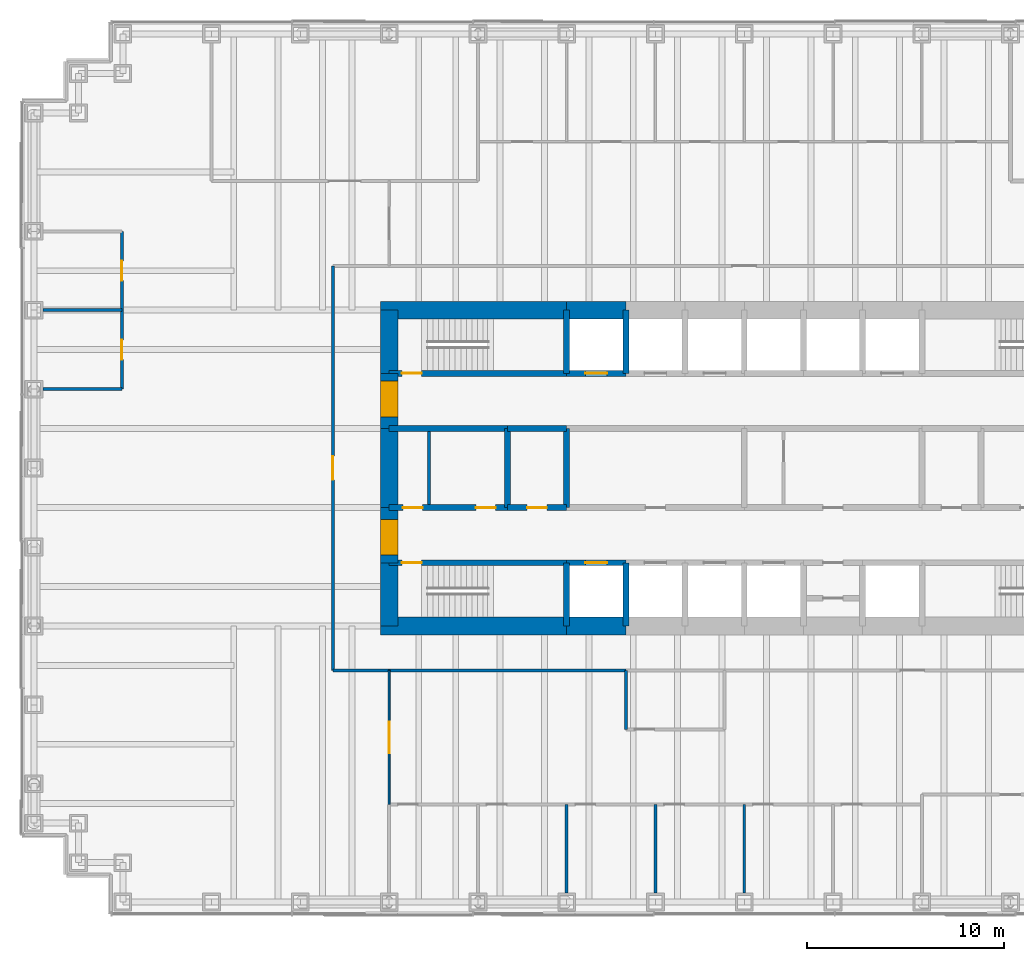
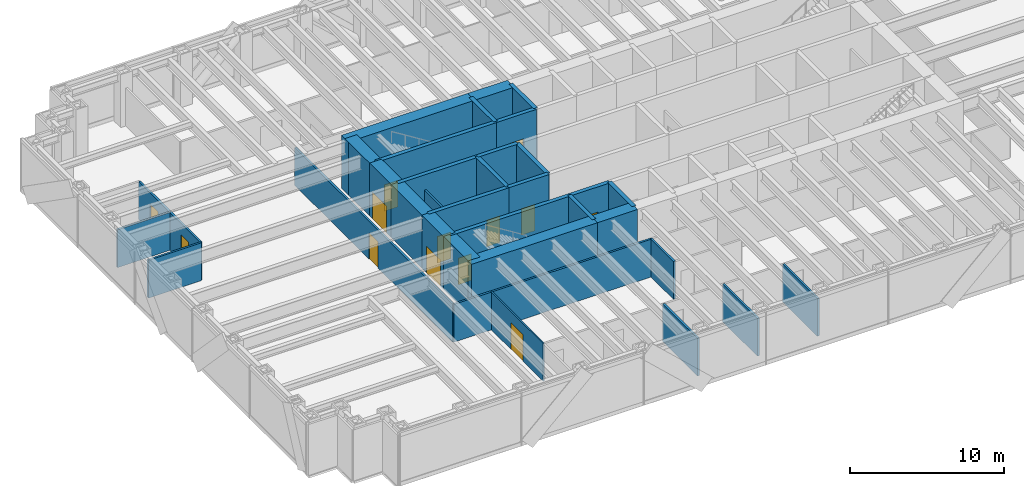
# One storey, part 11 of 15: 34 walls, 13 doors, 13 openings.
"""IFC4 building model written with IfcOpenShell, lengths in metres."""

from ifc_helpers import new_model, si_unit, direction, frame, frame_2d, origin, place, context, subcontext, project, spatial, rectangle, extrude, material, layer, layer_set, type_object, element, fill, save


model = new_model("IFC4")

# Units and contexts
model_context = context("Model", 3, precision=1e-05, world=origin(), true_north=direction((0.0, 1.0)))
body_context = subcontext(model_context, "Body", "Model", "MODEL_VIEW")
ifc_project = project(units=[si_unit("LENGTHUNIT", "METRE"), si_unit("AREAUNIT", "SQUARE_METRE"), si_unit("VOLUMEUNIT", "CUBIC_METRE"), si_unit("PLANEANGLEUNIT", "RADIAN"), si_unit("MASSUNIT", "GRAM", prefix="KILO")], contexts=[model_context])

# Site, building, storey
site_placement = place(None, origin())
site = spatial("IfcSite", under=ifc_project, at=site_placement, CompositionType="ELEMENT")
building_placement = place(site_placement, origin())
building = spatial("IfcBuilding", under=site, at=building_placement, Name="Rheinbord Bourse Tower", CompositionType="ELEMENT")
storey_placement = place(building_placement, frame((0.0, 0.0, 104.699951171875)))
storey = spatial("IfcBuildingStorey", under=building, at=storey_placement, Name="L22", CompositionType="ELEMENT", Elevation=104.699951171875)

# Wall, opening, door
ifc_material_1 = material(Name="Concrete C50/60", Category="concrete")
ifc_layer_1 = layer(ifc_material_1, 0.300048828125)
ifc_layer_set_1 = layer_set([ifc_layer_1], Name="CORE INNER WALL 300")
wall_type_1 = type_object("IfcWallType", Name="CORE INNER WALL 300", PredefinedType="SOLIDWALL", material=ifc_layer_set_1)
wall_1_placement = place(storey_placement, frame((18.0, 19.199951171875, 0.0), z_axis=(0.0, 0.0, 1.0), x_axis=(1.0, 0.0, 0.0)))
wall_1 = element("IfcWall", 1, at=wall_1_placement, inside=storey, type_object=wall_type_1, Name="Core wall A1 L22", PredefinedType="SOLIDWALL", context=body_context, shape_type="SweptSolid", body=[
    extrude(rectangle(XDim=9.0, YDim=0.300048828125, at=frame_2d((4.5, 0.0))), origin(), (0.0, 0.0, 1.0), 4.199951171875),
])
opening_1_placement = place(wall_1_placement, frame((0.64990234375, 0.0, 0.0)))
opening_1 = element("IfcOpeningElement", 2, at=opening_1_placement, cuts=wall_1, Name="Opening 2210", PredefinedType="OPENING", context=body_context, shape_type="SweptSolid", body=[
    extrude(rectangle(XDim=1.0, YDim=2.10009765625, at=frame_2d((0.5, 1.050048828125))), frame((0.0, 0.159912109375, 0.0), z_axis=(0.0, -1.0, 0.0), x_axis=(1.0, 0.0, 0.0)), (0.0, 0.0, 1.0), 0.320068359375),
])
ifc_material_2 = material(Name="Steel door", Category="steel")
door_type_1 = type_object("IfcDoorType", Name="DOOR 1000 EI30", OperationType="SINGLE_SWING_LEFT", PredefinedType="DOOR", material=ifc_material_2)
door_1_placement = place(opening_1_placement, origin())
door_1 = element("IfcDoor", 3, at=door_1_placement, inside=storey, type_object=door_type_1, Name="Stair door ST1 L22", OperationType="SINGLE_SWING_LEFT", OverallHeight=2.10009765625, OverallWidth=1.0, PredefinedType="DOOR", context=body_context, shape_type="SweptSolid", body=[
    extrude(rectangle(XDim=1.0, YDim=2.10009765625, at=frame_2d((0.5, 1.050048828125))), frame((0.0, 0.02490234375, 0.0), z_axis=(0.0, -1.0, 0.0), x_axis=(1.0, 0.0, 0.0)), (0.0, 0.0, 1.0), 0.050048828125),
])
fill(opening_1, door_1)

wall_2_placement = place(storey_placement, frame((27.0, 19.199951171875, 0.0), z_axis=(0.0, 0.0, 1.0), x_axis=(1.0, 0.0, 0.0)))
wall_2 = element("IfcWall", 4, at=wall_2_placement, inside=storey, type_object=wall_type_1, Name="Core wall A2 L22", PredefinedType="SOLIDWALL", context=body_context, shape_type="SweptSolid", body=[
    extrude(rectangle(XDim=3.0, YDim=0.300048828125, at=frame_2d((1.5, 0.0))), origin(), (0.0, 0.0, 1.0), 4.199951171875),
])
opening_2_placement = place(wall_2_placement, frame((0.949951171875, 0.0, 0.0)))
opening_2 = element("IfcOpeningElement", 5, at=opening_2_placement, cuts=wall_2, Name="Opening FL1", PredefinedType="OPENING", context=body_context, shape_type="SweptSolid", body=[
    extrude(rectangle(XDim=1.10009765625, YDim=2.199951171875, at=frame_2d((0.550048828125, 1.10009765625))), frame((0.0, 0.159912109375, 0.0), z_axis=(0.0, -1.0, 0.0), x_axis=(1.0, 0.0, 0.0)), (0.0, 0.0, 1.0), 0.320068359375),
])
ifc_material_3 = material(Name="Steel landing door", Category="steel")
door_type_2 = type_object("IfcDoorType", Name="LIFT LANDING DOOR 1100", OperationType="DOUBLE_DOOR_SLIDING", PredefinedType="USERDEFINED", material=ifc_material_3)
door_2_placement = place(opening_2_placement, origin())
door_2 = element("IfcDoor", 6, at=door_2_placement, inside=storey, type_object=door_type_2, Name="Lift landing door FL1 L22", ObjectType="LIFT LANDING DOOR", OperationType="DOUBLE_DOOR_SLIDING", OverallHeight=2.199951171875, OverallWidth=1.10009765625, PredefinedType="USERDEFINED", context=body_context, shape_type="SweptSolid", body=[
    extrude(rectangle(XDim=1.10009765625, YDim=2.199951171875, at=frame_2d((0.550048828125, 1.10009765625))), frame((0.0, 0.02490234375, 0.0), z_axis=(0.0, -1.0, 0.0), x_axis=(1.0, 0.0, 0.0)), (0.0, 0.0, 1.0), 0.050048828125),
])
fill(opening_2, door_2)

wall_3_placement = place(storey_placement, frame((18.0, 28.800048828125, 0.0), z_axis=(0.0, 0.0, 1.0), x_axis=(1.0, 0.0, 0.0)))
wall_3 = element("IfcWall", 7, at=wall_3_placement, inside=storey, type_object=wall_type_1, Name="Core wall B1 L22", PredefinedType="SOLIDWALL", context=body_context, shape_type="SweptSolid", body=[
    extrude(rectangle(XDim=9.0, YDim=0.300048828125, at=frame_2d((4.5, 0.0))), origin(), (0.0, 0.0, 1.0), 4.199951171875),
])
opening_3_placement = place(wall_3_placement, frame((0.64990234375, 0.0, 0.0)))
opening_3 = element("IfcOpeningElement", 8, at=opening_3_placement, cuts=wall_3, Name="Opening 2220", PredefinedType="OPENING", context=body_context, shape_type="SweptSolid", body=[
    extrude(rectangle(XDim=1.0, YDim=2.10009765625, at=frame_2d((0.5, 1.050048828125))), frame((0.0, 0.159912109375, 0.0), z_axis=(0.0, -1.0, 0.0), x_axis=(1.0, 0.0, 0.0)), (0.0, 0.0, 1.0), 0.320068359375),
])
door_3_placement = place(opening_3_placement, origin())
door_3 = element("IfcDoor", 9, at=door_3_placement, inside=storey, type_object=door_type_1, Name="Stair door ST2 L22", OperationType="SINGLE_SWING_LEFT", OverallHeight=2.10009765625, OverallWidth=1.0, PredefinedType="DOOR", context=body_context, shape_type="SweptSolid", body=[
    extrude(rectangle(XDim=1.0, YDim=2.10009765625, at=frame_2d((0.5, 1.050048828125))), frame((0.0, 0.02490234375, 0.0), z_axis=(0.0, -1.0, 0.0), x_axis=(1.0, 0.0, 0.0)), (0.0, 0.0, 1.0), 0.050048828125),
])
fill(opening_3, door_3)

wall_4_placement = place(storey_placement, frame((27.0, 28.800048828125, 0.0), z_axis=(0.0, 0.0, 1.0), x_axis=(1.0, 0.0, 0.0)))
wall_4 = element("IfcWall", 10, at=wall_4_placement, inside=storey, type_object=wall_type_1, Name="Core wall B2 L22", PredefinedType="SOLIDWALL", context=body_context, shape_type="SweptSolid", body=[
    extrude(rectangle(XDim=3.0, YDim=0.300048828125, at=frame_2d((1.5, 0.0))), origin(), (0.0, 0.0, 1.0), 4.199951171875),
])
opening_4_placement = place(wall_4_placement, frame((0.949951171875, 0.0, 0.0)))
opening_4 = element("IfcOpeningElement", 11, at=opening_4_placement, cuts=wall_4, Name="Opening GL1", PredefinedType="OPENING", context=body_context, shape_type="SweptSolid", body=[
    extrude(rectangle(XDim=1.10009765625, YDim=2.199951171875, at=frame_2d((0.550048828125, 1.10009765625))), frame((0.0, 0.159912109375, 0.0), z_axis=(0.0, -1.0, 0.0), x_axis=(1.0, 0.0, 0.0)), (0.0, 0.0, 1.0), 0.320068359375),
])
door_4_placement = place(opening_4_placement, origin())
door_4 = element("IfcDoor", 12, at=door_4_placement, inside=storey, type_object=door_type_2, Name="Lift landing door GL1 L22", ObjectType="LIFT LANDING DOOR", OperationType="DOUBLE_DOOR_SLIDING", OverallHeight=2.199951171875, OverallWidth=1.10009765625, PredefinedType="USERDEFINED", context=body_context, shape_type="SweptSolid", body=[
    extrude(rectangle(XDim=1.10009765625, YDim=2.199951171875, at=frame_2d((0.550048828125, 1.10009765625))), frame((0.0, 0.02490234375, 0.0), z_axis=(0.0, -1.0, 0.0), x_axis=(1.0, 0.0, 0.0)), (0.0, 0.0, 1.0), 0.050048828125),
])
fill(opening_4, door_4)

# Wall, openings, doors
wall_5_placement = place(storey_placement, frame((18.0, 22.0, 0.0), z_axis=(0.0, 0.0, 1.0), x_axis=(1.0, 0.0, 0.0)))
wall_5 = element("IfcWall", 13, at=wall_5_placement, inside=storey, type_object=wall_type_1, Name="Core wall C1 L22", PredefinedType="SOLIDWALL", context=body_context, shape_type="SweptSolid", body=[
    extrude(rectangle(XDim=6.0, YDim=0.300048828125, at=frame_2d((3.0, 0.0))), origin(), (0.0, 0.0, 1.0), 4.199951171875),
])
opening_5_placement = place(wall_5_placement, frame((4.39990234375, 0.0, 0.0)))
opening_5 = element("IfcOpeningElement", 14, at=opening_5_placement, cuts=wall_5, Name="Opening 22R1", PredefinedType="OPENING", context=body_context, shape_type="SweptSolid", body=[
    extrude(rectangle(XDim=1.0, YDim=2.10009765625, at=frame_2d((0.5, 1.050048828125))), frame((0.0, 0.159912109375, 0.0), z_axis=(0.0, -1.0, 0.0), x_axis=(1.0, 0.0, 0.0)), (0.0, 0.0, 1.0), 0.320068359375),
])
opening_6_placement = place(wall_5_placement, frame((0.699951171875, 0.0, 0.0)))
opening_6 = element("IfcOpeningElement", 15, at=opening_6_placement, cuts=wall_5, Name="Opening 22R9", PredefinedType="OPENING", context=body_context, shape_type="SweptSolid", body=[
    extrude(rectangle(XDim=1.0, YDim=2.10009765625, at=frame_2d((0.5, 1.050048828125))), frame((0.0, 0.159912109375, 0.0), z_axis=(0.0, -1.0, 0.0), x_axis=(1.0, 0.0, 0.0)), (0.0, 0.0, 1.0), 0.320068359375),
])
door_5_placement = place(opening_6_placement, origin())
door_5 = element("IfcDoor", 16, at=door_5_placement, inside=storey, type_object=door_type_1, Name="Staff shower door L22", OperationType="SINGLE_SWING_LEFT", OverallHeight=2.10009765625, OverallWidth=1.0, PredefinedType="DOOR", context=body_context, shape_type="SweptSolid", body=[
    extrude(rectangle(XDim=1.0, YDim=2.10009765625, at=frame_2d((0.5, 1.050048828125))), frame((0.0, 0.02490234375, 0.0), z_axis=(0.0, -1.0, 0.0), x_axis=(1.0, 0.0, 0.0)), (0.0, 0.0, 1.0), 0.050048828125),
])
fill(opening_6, door_5)
ifc_material_4 = material(Name="Timber door", Category="wood")
door_type_3 = type_object("IfcDoorType", Name="DOOR 1000 WC", OperationType="SINGLE_SWING_LEFT", PredefinedType="DOOR", material=ifc_material_4)
door_6_placement = place(opening_5_placement, origin())
door_6 = element("IfcDoor", 17, at=door_6_placement, inside=storey, type_object=door_type_3, Name="WC men door L22", OperationType="SINGLE_SWING_RIGHT", OverallHeight=2.10009765625, OverallWidth=1.0, PredefinedType="DOOR", context=body_context, shape_type="SweptSolid", body=[
    extrude(rectangle(XDim=1.0, YDim=2.10009765625, at=frame_2d((0.5, 1.050048828125))), frame((0.0, 0.02490234375, 0.0), z_axis=(0.0, -1.0, 0.0), x_axis=(1.0, 0.0, 0.0)), (0.0, 0.0, 1.0), 0.050048828125),
])
fill(opening_5, door_6)

# Wall, opening, door
wall_6_placement = place(storey_placement, frame((24.0, 22.0, 0.0), z_axis=(0.0, 0.0, 1.0), x_axis=(1.0, 0.0, 0.0)))
wall_6 = element("IfcWall", 18, at=wall_6_placement, inside=storey, type_object=wall_type_1, Name="Core wall C2 L22", PredefinedType="SOLIDWALL", context=body_context, shape_type="SweptSolid", body=[
    extrude(rectangle(XDim=3.0, YDim=0.300048828125, at=frame_2d((1.5, 0.0))), origin(), (0.0, 0.0, 1.0), 4.199951171875),
])
opening_7_placement = place(wall_6_placement, frame((1.0, 0.0, 0.0)))
opening_7 = element("IfcOpeningElement", 19, at=opening_7_placement, cuts=wall_6, Name="Opening 22R2", PredefinedType="OPENING", context=body_context, shape_type="SweptSolid", body=[
    extrude(rectangle(XDim=1.0, YDim=2.10009765625, at=frame_2d((0.5, 1.050048828125))), frame((0.0, 0.159912109375, 0.0), z_axis=(0.0, -1.0, 0.0), x_axis=(1.0, 0.0, 0.0)), (0.0, 0.0, 1.0), 0.320068359375),
])
door_7_placement = place(opening_7_placement, origin())
door_7 = element("IfcDoor", 20, at=door_7_placement, inside=storey, type_object=door_type_3, Name="Shower and accessible WC door L22", OperationType="SINGLE_SWING_LEFT", OverallHeight=2.10009765625, OverallWidth=1.0, PredefinedType="DOOR", context=body_context, shape_type="SweptSolid", body=[
    extrude(rectangle(XDim=1.0, YDim=2.10009765625, at=frame_2d((0.5, 1.050048828125))), frame((0.0, 0.02490234375, 0.0), z_axis=(0.0, -1.0, 0.0), x_axis=(1.0, 0.0, 0.0)), (0.0, 0.0, 1.0), 0.050048828125),
])
fill(opening_7, door_7)

# Walls
wall_7_placement = place(storey_placement, frame((18.0, 26.0, 0.0), z_axis=(0.0, 0.0, 1.0), x_axis=(1.0, 0.0, 0.0)))
element("IfcWall", 21, at=wall_7_placement, inside=storey, type_object=wall_type_1, Name="Core wall D1 L22", PredefinedType="SOLIDWALL", context=body_context, shape_type="SweptSolid", body=[
    extrude(rectangle(XDim=6.0, YDim=0.300048828125, at=frame_2d((3.0, 0.0))), origin(), (0.0, 0.0, 1.0), 4.199951171875),
])
wall_8_placement = place(storey_placement, frame((24.0, 26.0, 0.0), z_axis=(0.0, 0.0, 1.0), x_axis=(1.0, 0.0, 0.0)))
element("IfcWall", 22, at=wall_8_placement, inside=storey, type_object=wall_type_1, Name="Core wall D2 L22", PredefinedType="SOLIDWALL", context=body_context, shape_type="SweptSolid", body=[
    extrude(rectangle(XDim=3.0, YDim=0.300048828125, at=frame_2d((1.5, 0.0))), origin(), (0.0, 0.0, 1.0), 4.199951171875),
])
for number, where, z_axis, x_axis, name in (
    (23, (27.0, 16.0, 0.0), (0.0, 0.0, 1.0), (0.0, 1.0, 0.0), "Core wall SX27 L22"),
    (24, (27.0, 28.800048828125, 0.0), (0.0, 0.0, 1.0), (0.0, 1.0, 0.0), "Core wall NX27 L22"),
    (25, (30.0, 16.0, 0.0), (0.0, 0.0, 1.0), (0.0, 1.0, 0.0), "Core wall SX30 L22"),
    (26, (30.0, 28.800048828125, 0.0), (0.0, 0.0, 1.0), (0.0, 1.0, 0.0), "Core wall NX30 L22"),
):
    element("IfcWall", number, at=place(storey_placement, frame(where, z_axis=z_axis, x_axis=x_axis)), inside=storey, type_object=wall_type_1, Name=name, PredefinedType="SOLIDWALL", context=body_context, shape_type="SweptSolid", body=[
        extrude(rectangle(XDim=3.199951171875, YDim=0.300048828125, at=frame_2d((1.60009765625, 0.0))), origin(), (0.0, 0.0, 1.0), 4.199951171875),
    ])
for number, where, z_axis, x_axis, name in (
    (27, (24.0, 22.0, 0.0), (0.0, 0.0, 1.0), (0.0, 1.0, 0.0), "Core wall MX24 L22"),
    (28, (27.0, 22.0, 0.0), (0.0, 0.0, 1.0), (0.0, 1.0, 0.0), "Core wall MX27 L22"),
):
    element("IfcWall", number, at=place(storey_placement, frame(where, z_axis=z_axis, x_axis=x_axis)), inside=storey, type_object=wall_type_1, Name=name, PredefinedType="SOLIDWALL", context=body_context, shape_type="SweptSolid", body=[
        extrude(rectangle(XDim=4.0, YDim=0.300048828125, at=frame_2d((2.0, 0.0))), origin(), (0.0, 0.0, 1.0), 4.199951171875),
    ])
ifc_material_5 = material(Name="Gypsum board fire partition", Category="gypsum board")
ifc_layer_2 = layer(ifc_material_5, 0.14990234375)
ifc_layer_set_2 = layer_set([ifc_layer_2], Name="CORE PARTITION 150 EI30")
wall_type_2 = type_object("IfcWallType", Name="CORE PARTITION 150 EI30", PredefinedType="PARTITIONING", material=ifc_layer_set_2)
wall_9_placement = place(storey_placement, frame((20.02490234375, 22.14990234375, 0.0), z_axis=(0.0, 0.0, 1.0), x_axis=(0.0, 1.0, 0.0)))
element("IfcWall", 29, at=wall_9_placement, inside=storey, type_object=wall_type_2, Name="Core partition L22-2", PredefinedType="PARTITIONING", context=body_context, shape_type="SweptSolid", body=[
    extrude(rectangle(XDim=3.7001953125, YDim=0.14990234375, at=frame_2d((1.85009765625, 0.0))), origin(), (0.0, 0.0, 1.0), 3.0),
])
ifc_material_6 = material(Name="Concrete C50/60", Category="concrete")
ifc_layer_3 = layer(ifc_material_6, 0.89990234375)
ifc_layer_set_3 = layer_set([ifc_layer_3], Name="CORE WALL 900")
wall_type_3 = type_object("IfcWallType", Name="CORE WALL 900", PredefinedType="SHEAR", material=ifc_layer_set_3)
wall_10_placement = place(storey_placement, frame((17.550048828125, 16.0, 0.0), z_axis=(0.0, 0.0, 1.0), x_axis=(1.0, 0.0, 0.0)))
element("IfcWall", 30, at=wall_10_placement, inside=storey, type_object=wall_type_3, Name="Core wall S1 L22", PredefinedType="SHEAR", context=body_context, shape_type="SweptSolid", body=[
    extrude(rectangle(XDim=9.449951171875, YDim=0.89990234375, at=frame_2d((4.72509765625, 0.0))), origin(), (0.0, 0.0, 1.0), 4.199951171875),
])
for number, where, z_axis, x_axis, name in (
    (31, (27.0, 16.0, 0.0), (0.0, 0.0, 1.0), (1.0, 0.0, 0.0), "Core wall S2 L22"),
    (32, (30.0, 32.0, 0.0), (0.0, 0.0, 1.0), (-1.0, 0.0, 0.0), "Core wall N7 L22"),
):
    element("IfcWall", number, at=place(storey_placement, frame(where, z_axis=z_axis, x_axis=x_axis)), inside=storey, type_object=wall_type_3, Name=name, PredefinedType="SHEAR", context=body_context, shape_type="SweptSolid", body=[
        extrude(rectangle(XDim=3.0, YDim=0.89990234375, at=frame_2d((1.5, 0.0))), origin(), (0.0, 0.0, 1.0), 4.199951171875),
    ])
wall_11_placement = place(storey_placement, frame((27.0, 32.0, 0.0), z_axis=(0.0, 0.0, 1.0), x_axis=(-1.0, 0.0, 0.0)))
element("IfcWall", 33, at=wall_11_placement, inside=storey, type_object=wall_type_3, Name="Core wall N8 L22", PredefinedType="SHEAR", context=body_context, shape_type="SweptSolid", body=[
    extrude(rectangle(XDim=9.449951171875, YDim=0.89990234375, at=frame_2d((4.72509765625, 0.0))), origin(), (0.0, 0.0, 1.0), 4.199951171875),
])
wall_12_placement = place(storey_placement, frame((18.0, 32.0, 0.0), z_axis=(0.0, 0.0, 1.0), x_axis=(0.0, -1.0, 0.0)))
element("IfcWall", 34, at=wall_12_placement, inside=storey, type_object=wall_type_3, Name="Core wall W1 L22", PredefinedType="SHEAR", context=body_context, shape_type="SweptSolid", body=[
    extrude(rectangle(XDim=3.199951171875, YDim=0.89990234375, at=frame_2d((1.60009765625, 0.0))), origin(), (0.0, 0.0, 1.0), 4.199951171875),
])

# Wall, opening, door
wall_13_placement = place(storey_placement, frame((18.0, 28.800048828125, 0.0), z_axis=(0.0, 0.0, 1.0), x_axis=(0.0, -1.0, 0.0)))
wall_13 = element("IfcWall", 35, at=wall_13_placement, inside=storey, type_object=wall_type_3, Name="Core wall W2 L22", PredefinedType="SHEAR", context=body_context, shape_type="SweptSolid", body=[
    extrude(rectangle(XDim=2.800048828125, YDim=0.89990234375, at=frame_2d((1.39990234375, 0.0))), origin(), (0.0, 0.0, 1.0), 4.199951171875),
])
opening_8_placement = place(wall_13_placement, frame((0.39990234375, 0.0, 0.0)))
opening_8 = element("IfcOpeningElement", 36, at=opening_8_placement, cuts=wall_13, Name="Opening 22L2", PredefinedType="OPENING", context=body_context, shape_type="SweptSolid", body=[
    extrude(rectangle(XDim=1.800048828125, YDim=2.10009765625, at=frame_2d((0.89990234375, 1.050048828125))), frame((0.0, 0.4599609375, 0.0), z_axis=(0.0, -1.0, 0.0), x_axis=(1.0, 0.0, 0.0)), (0.0, 0.0, 1.0), 0.919921875),
])
ifc_material_7 = material(Name="Steel door", Category="steel")
door_type_4 = type_object("IfcDoorType", Name="DOOR 1800 EI30 DOUBLE", OperationType="DOUBLE_DOOR_DOUBLE_SWING", PredefinedType="DOOR", material=ifc_material_7)
door_8_placement = place(opening_8_placement, origin())
door_8 = element("IfcDoor", 37, at=door_8_placement, inside=storey, type_object=door_type_4, Name="Lobby door 2 L22", OperationType="SINGLE_SWING_LEFT", OverallHeight=2.10009765625, OverallWidth=1.800048828125, PredefinedType="DOOR", context=body_context, shape_type="SweptSolid", body=[
    extrude(rectangle(XDim=1.800048828125, YDim=2.10009765625, at=frame_2d((0.89990234375, 1.050048828125))), frame((0.0, 0.44970703125, 0.0), z_axis=(0.0, -1.0, 0.0), x_axis=(1.0, 0.0, 0.0)), (0.0, 0.0, 1.0), 0.8994140625),
])
fill(opening_8, door_8)

# Wall
wall_14_placement = place(storey_placement, frame((18.0, 26.0, 0.0), z_axis=(0.0, 0.0, 1.0), x_axis=(0.0, -1.0, 0.0)))
element("IfcWall", 38, at=wall_14_placement, inside=storey, type_object=wall_type_3, Name="Core wall W3 L22", PredefinedType="SHEAR", context=body_context, shape_type="SweptSolid", body=[
    extrude(rectangle(XDim=4.0, YDim=0.89990234375, at=frame_2d((2.0, 0.0))), origin(), (0.0, 0.0, 1.0), 4.199951171875),
])

# Wall, opening, door
wall_15_placement = place(storey_placement, frame((18.0, 22.0, 0.0), z_axis=(0.0, 0.0, 1.0), x_axis=(0.0, -1.0, 0.0)))
wall_15 = element("IfcWall", 39, at=wall_15_placement, inside=storey, type_object=wall_type_3, Name="Core wall W4 L22", PredefinedType="SHEAR", context=body_context, shape_type="SweptSolid", body=[
    extrude(rectangle(XDim=2.800048828125, YDim=0.89990234375, at=frame_2d((1.39990234375, 0.0))), origin(), (0.0, 0.0, 1.0), 4.199951171875),
])
opening_9_placement = place(wall_15_placement, frame((0.60009765625, 0.0, 0.0)))
opening_9 = element("IfcOpeningElement", 40, at=opening_9_placement, cuts=wall_15, Name="Opening 22L1", PredefinedType="OPENING", context=body_context, shape_type="SweptSolid", body=[
    extrude(rectangle(XDim=1.800048828125, YDim=2.10009765625, at=frame_2d((0.89990234375, 1.050048828125))), frame((0.0, 0.4599609375, 0.0), z_axis=(0.0, -1.0, 0.0), x_axis=(1.0, 0.0, 0.0)), (0.0, 0.0, 1.0), 0.919921875),
])
door_9_placement = place(opening_9_placement, origin())
door_9 = element("IfcDoor", 41, at=door_9_placement, inside=storey, type_object=door_type_4, Name="Lobby door 1 L22", OperationType="SINGLE_SWING_LEFT", OverallHeight=2.10009765625, OverallWidth=1.800048828125, PredefinedType="DOOR", context=body_context, shape_type="SweptSolid", body=[
    extrude(rectangle(XDim=1.800048828125, YDim=2.10009765625, at=frame_2d((0.89990234375, 1.050048828125))), frame((0.0, 0.44970703125, 0.0), z_axis=(0.0, -1.0, 0.0), x_axis=(1.0, 0.0, 0.0)), (0.0, 0.0, 1.0), 0.8994140625),
])
fill(opening_9, door_9)

# Walls
wall_16_placement = place(storey_placement, frame((18.0, 19.199951171875, 0.0), z_axis=(0.0, 0.0, 1.0), x_axis=(0.0, -1.0, 0.0)))
element("IfcWall", 42, at=wall_16_placement, inside=storey, type_object=wall_type_3, Name="Core wall W5 L22", PredefinedType="SHEAR", context=body_context, shape_type="SweptSolid", body=[
    extrude(rectangle(XDim=3.199951171875, YDim=0.89990234375, at=frame_2d((1.60009765625, 0.0))), origin(), (0.0, 0.0, 1.0), 4.199951171875),
])
ifc_material_8 = material(Name="Gypsum board corridor partition", Category="gypsum board")
ifc_layer_4 = layer(ifc_material_8, 0.14990234375)
ifc_layer_set_4 = layer_set([ifc_layer_4], Name="CORRIDOR PARTITION 150 EI30")
wall_type_4 = type_object("IfcWallType", Name="CORRIDOR PARTITION 150 EI30", PredefinedType="PARTITIONING", material=ifc_layer_set_4)
wall_17_placement = place(storey_placement, frame((15.14990234375, 13.75, 0.0), z_axis=(0.0, 0.0, 1.0), x_axis=(1.0, 0.0, 0.0)))
element("IfcWall", 43, at=wall_17_placement, inside=storey, type_object=wall_type_4, Name="Partition L22-04", PredefinedType="PARTITIONING", context=body_context, shape_type="SweptSolid", body=[
    extrude(rectangle(XDim=14.85009765625, YDim=0.14990234375, at=frame_2d((7.425048828125, 0.0))), origin(), (0.0, 0.0, 1.0), 3.0),
])

# Wall, opening, door
wall_18_placement = place(storey_placement, frame((15.14990234375, 13.75, 0.0), z_axis=(0.0, 0.0, 1.0), x_axis=(0.0, 1.0, 0.0)))
wall_18 = element("IfcWall", 44, at=wall_18_placement, inside=storey, type_object=wall_type_4, Name="Partition L22-18", PredefinedType="PARTITIONING", context=body_context, shape_type="SweptSolid", body=[
    extrude(rectangle(XDim=20.5, YDim=0.14990234375, at=frame_2d((10.25, 0.0))), origin(), (0.0, 0.0, 1.0), 3.0),
])
opening_10_placement = place(wall_18_placement, frame((9.64990234375, 0.0, 0.0)))
opening_10 = element("IfcOpeningElement", 45, at=opening_10_placement, cuts=wall_18, Name="Opening 22D24", PredefinedType="OPENING", context=body_context, shape_type="SweptSolid", body=[
    extrude(rectangle(XDim=1.199951171875, YDim=2.10009765625, at=frame_2d((0.60009765625, 1.050048828125))), frame((0.0, 0.0849609375, 0.0), z_axis=(0.0, -1.0, 0.0), x_axis=(1.0, 0.0, 0.0)), (0.0, 0.0, 1.0), 0.169921875),
])
ifc_material_9 = material(Name="Timber fire door", Category="wood")
door_type_5 = type_object("IfcDoorType", Name="SUITE ENTRANCE DOOR 1200 EI30", OperationType="SINGLE_SWING_LEFT", PredefinedType="DOOR", material=ifc_material_9)
door_10_placement = place(opening_10_placement, origin())
door_10 = element("IfcDoor", 46, at=door_10_placement, inside=storey, type_object=door_type_5, Name="Suite entrance 1 door L22", OperationType="SINGLE_SWING_LEFT", OverallHeight=2.10009765625, OverallWidth=1.199951171875, PredefinedType="DOOR", context=body_context, shape_type="SweptSolid", body=[
    extrude(rectangle(XDim=1.199951171875, YDim=2.10009765625, at=frame_2d((0.60009765625, 1.050048828125))), frame((0.0, 0.02490234375, 0.0), z_axis=(0.0, -1.0, 0.0), x_axis=(1.0, 0.0, 0.0)), (0.0, 0.0, 1.0), 0.050048828125),
])
fill(opening_10, door_10)

# Wall
ifc_material_10 = material(Name="Gypsum board fire partition", Category="gypsum board")
ifc_layer_5 = layer(ifc_material_10, 0.14990234375)
ifc_layer_set_5 = layer_set([ifc_layer_5], Name="FIRE PARTITION 150 EI60")
wall_type_5 = type_object("IfcWallType", Name="FIRE PARTITION 150 EI60", PredefinedType="PARTITIONING", material=ifc_layer_set_5)
wall_19_placement = place(storey_placement, frame((30.0, 10.75, 0.0), z_axis=(0.0, 0.0, 1.0), x_axis=(0.0, 1.0, 0.0)))
element("IfcWall", 47, at=wall_19_placement, inside=storey, type_object=wall_type_5, Name="Partition L22-26", PredefinedType="PARTITIONING", context=body_context, shape_type="SweptSolid", body=[
    extrude(rectangle(XDim=3.0, YDim=0.14990234375, at=frame_2d((1.5, 0.0))), origin(), (0.0, 0.0, 1.0), 3.0),
])

# Wall, opening, door
ifc_material_11 = material(Name="Toughened laminated glass partition", Category="glass")
ifc_layer_6 = layer(ifc_material_11, 0.10009765625)
ifc_layer_set_6 = layer_set([ifc_layer_6], Name="GLAZED PARTITION 100")
wall_type_6 = type_object("IfcWallType", Name="GLAZED PARTITION 100", PredefinedType="PARTITIONING", material=ifc_layer_set_6)
wall_20_placement = place(storey_placement, frame((18.0, 6.949951171875, 0.0), z_axis=(0.0, 0.0, 1.0), x_axis=(0.0, 1.0, 0.0)))
wall_20 = element("IfcWall", 48, at=wall_20_placement, inside=storey, type_object=wall_type_6, Name="Partition L22-20", PredefinedType="PARTITIONING", context=body_context, shape_type="SweptSolid", body=[
    extrude(rectangle(XDim=6.800048828125, YDim=0.10009765625, at=frame_2d((3.39990234375, 0.0))), origin(), (0.0, 0.0, 1.0), 3.0),
])
opening_11_placement = place(wall_20_placement, frame((2.60009765625, 0.0, 0.0)))
opening_11 = element("IfcOpeningElement", 49, at=opening_11_placement, cuts=wall_20, Name="Opening 22D20", PredefinedType="OPENING", context=body_context, shape_type="SweptSolid", body=[
    extrude(rectangle(XDim=1.60009765625, YDim=2.10009765625, at=frame_2d((0.800048828125, 1.050048828125))), frame((0.0, 0.06005859375, 0.0), z_axis=(0.0, -1.0, 0.0), x_axis=(1.0, 0.0, 0.0)), (0.0, 0.0, 1.0), 0.1201171875),
])
ifc_material_12 = material(Name="Timber door", Category="wood")
door_type_6 = type_object("IfcDoorType", Name="DOUBLE ROOM DOOR 1600", OperationType="DOUBLE_DOOR_DOUBLE_SWING", PredefinedType="DOOR", material=ifc_material_12)
door_11_placement = place(opening_11_placement, origin())
door_11 = element("IfcDoor", 50, at=door_11_placement, inside=storey, type_object=door_type_6, Name="Open area door L22", OperationType="SINGLE_SWING_LEFT", OverallHeight=2.10009765625, OverallWidth=1.60009765625, PredefinedType="DOOR", context=body_context, shape_type="SweptSolid", body=[
    extrude(rectangle(XDim=1.60009765625, YDim=2.10009765625, at=frame_2d((0.800048828125, 1.050048828125))), frame((0.0, 0.02490234375, 0.0), z_axis=(0.0, -1.0, 0.0), x_axis=(1.0, 0.0, 0.0)), (0.0, 0.0, 1.0), 0.050048828125),
])
fill(opening_11, door_11)

# Walls
ifc_material_13 = material(Name="Gypsum board partition", Category="gypsum board")
ifc_layer_7 = layer(ifc_material_13, 0.14990234375)
ifc_layer_set_7 = layer_set([ifc_layer_7], Name="PARTITION 150")
wall_type_7 = type_object("IfcWallType", Name="PARTITION 150", PredefinedType="PARTITIONING", material=ifc_layer_set_7)
for number, where, z_axis, x_axis, name in (
    (51, (0.449951171875, 28.0, 0.0), (0.0, 0.0, 1.0), (1.0, 0.0, 0.0), "Partition L22-09"),
    (52, (0.449951171875, 32.0, 0.0), (0.0, 0.0, 1.0), (1.0, 0.0, 0.0), "Partition L22-10"),
):
    element("IfcWall", number, at=place(storey_placement, frame(where, z_axis=z_axis, x_axis=x_axis)), inside=storey, type_object=wall_type_7, Name=name, PredefinedType="PARTITIONING", context=body_context, shape_type="SweptSolid", body=[
        extrude(rectangle(XDim=4.0, YDim=0.14990234375, at=frame_2d((2.0, 0.0))), origin(), (0.0, 0.0, 1.0), 3.0),
    ])

# Wall, openings, doors
wall_21_placement = place(storey_placement, frame((4.449951171875, 28.0, 0.0), z_axis=(0.0, 0.0, 1.0), x_axis=(0.0, 1.0, 0.0)))
wall_21 = element("IfcWall", 53, at=wall_21_placement, inside=storey, type_object=wall_type_7, Name="Partition L22-16", PredefinedType="PARTITIONING", context=body_context, shape_type="SweptSolid", body=[
    extrude(rectangle(XDim=8.0, YDim=0.14990234375, at=frame_2d((4.0, 0.0))), origin(), (0.0, 0.0, 1.0), 3.0),
])
opening_12_placement = place(wall_21_placement, frame((1.5, 0.0, 0.0)))
opening_12 = element("IfcOpeningElement", 54, at=opening_12_placement, cuts=wall_21, Name="Opening 22D10", PredefinedType="OPENING", context=body_context, shape_type="SweptSolid", body=[
    extrude(rectangle(XDim=1.0, YDim=2.10009765625, at=frame_2d((0.5, 1.050048828125))), frame((0.0, 0.0849609375, 0.0), z_axis=(0.0, -1.0, 0.0), x_axis=(1.0, 0.0, 0.0)), (0.0, 0.0, 1.0), 0.169921875),
])
opening_13_placement = place(wall_21_placement, frame((5.5, 0.0, 0.0)))
opening_13 = element("IfcOpeningElement", 55, at=opening_13_placement, cuts=wall_21, Name="Opening 22D11", PredefinedType="OPENING", context=body_context, shape_type="SweptSolid", body=[
    extrude(rectangle(XDim=1.0, YDim=2.10009765625, at=frame_2d((0.5, 1.050048828125))), frame((0.0, 0.0849609375, 0.0), z_axis=(0.0, -1.0, 0.0), x_axis=(1.0, 0.0, 0.0)), (0.0, 0.0, 1.0), 0.169921875),
])
ifc_material_14 = material(Name="Timber door", Category="wood")
door_type_7 = type_object("IfcDoorType", Name="ROOM DOOR 1000", OperationType="SINGLE_SWING_LEFT", PredefinedType="DOOR", material=ifc_material_14)
door_12_placement = place(opening_12_placement, origin())
door_12 = element("IfcDoor", 56, at=door_12_placement, inside=storey, type_object=door_type_7, Name="Copy room door L22", OperationType="SINGLE_SWING_LEFT", OverallHeight=2.10009765625, OverallWidth=1.0, PredefinedType="DOOR", context=body_context, shape_type="SweptSolid", body=[
    extrude(rectangle(XDim=1.0, YDim=2.10009765625, at=frame_2d((0.5, 1.050048828125))), frame((0.0, 0.02490234375, 0.0), z_axis=(0.0, -1.0, 0.0), x_axis=(1.0, 0.0, 0.0)), (0.0, 0.0, 1.0), 0.050048828125),
])
fill(opening_12, door_12)
door_13_placement = place(opening_13_placement, origin())
door_13 = element("IfcDoor", 57, at=door_13_placement, inside=storey, type_object=door_type_7, Name="Store door L22", OperationType="SINGLE_SWING_RIGHT", OverallHeight=2.10009765625, OverallWidth=1.0, PredefinedType="DOOR", context=body_context, shape_type="SweptSolid", body=[
    extrude(rectangle(XDim=1.0, YDim=2.10009765625, at=frame_2d((0.5, 1.050048828125))), frame((0.0, 0.02490234375, 0.0), z_axis=(0.0, -1.0, 0.0), x_axis=(1.0, 0.0, 0.0)), (0.0, 0.0, 1.0), 0.050048828125),
])
fill(opening_13, door_13)

# Walls
for number, where, z_axis, x_axis, name in (
    (58, (27.0, 2.449951171875, 0.0), (0.0, 0.0, 1.0), (0.0, 1.0, 0.0), "Partition L22-24"),
    (59, (31.5, 2.449951171875, 0.0), (0.0, 0.0, 1.0), (0.0, 1.0, 0.0), "Partition L22-27"),
    (60, (36.0, 2.449951171875, 0.0), (0.0, 0.0, 1.0), (0.0, 1.0, 0.0), "Partition L22-30"),
):
    element("IfcWall", number, at=place(storey_placement, frame(where, z_axis=z_axis, x_axis=x_axis)), inside=storey, type_object=wall_type_7, Name=name, PredefinedType="PARTITIONING", context=body_context, shape_type="SweptSolid", body=[
        extrude(rectangle(XDim=4.5, YDim=0.14990234375, at=frame_2d((2.25, 0.0))), origin(), (0.0, 0.0, 1.0), 3.0),
    ])

save(model, "model.ifc")
